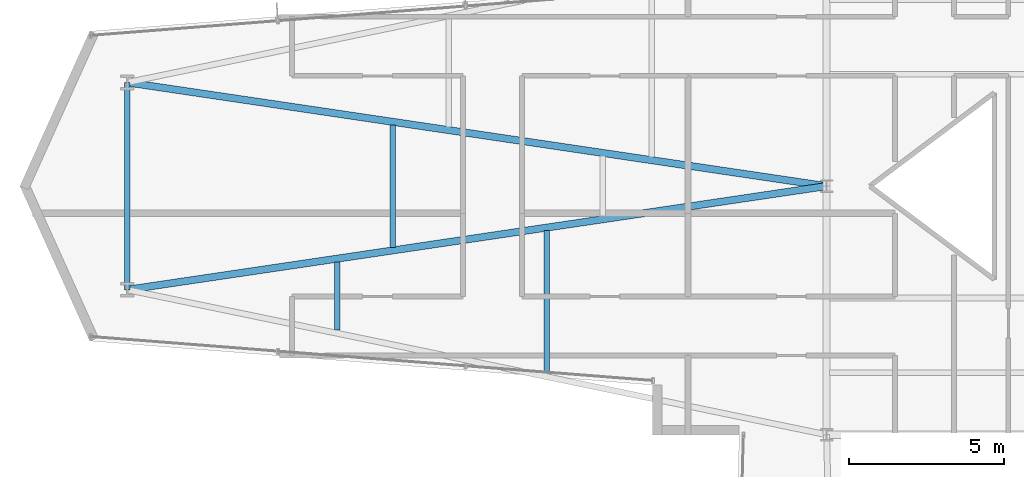
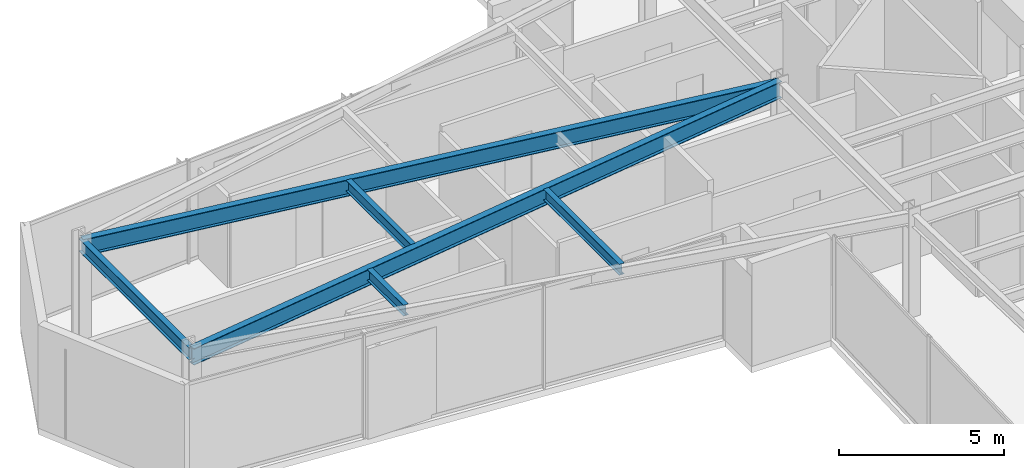
# One storey, part 8 of 30: 6 beams.
"""IFC4 building model written with IfcOpenShell, lengths in metres."""

from ifc_helpers import new_model, si_unit, direction, frame, origin, origin_2d, place, context, subcontext, project, spatial, i_section, extrude, material, material_profile, profile_set, type_object, element, save


model = new_model("IFC4")

# Units and contexts
model_context = context("Model", 3, precision=1e-05, world=origin(), true_north=direction((0.0, 1.0)))
body_context = subcontext(model_context, "Body", "Model", "MODEL_VIEW")
ifc_project = project(units=[si_unit("LENGTHUNIT", "METRE"), si_unit("AREAUNIT", "SQUARE_METRE"), si_unit("VOLUMEUNIT", "CUBIC_METRE"), si_unit("PLANEANGLEUNIT", "RADIAN"), si_unit("MASSUNIT", "GRAM", prefix="KILO")], contexts=[model_context])

# Site, building, storey
site_placement = place(None, origin())
site = spatial("IfcSite", under=ifc_project, at=site_placement, CompositionType="ELEMENT")
building_placement = place(site_placement, origin())
building = spatial("IfcBuilding", under=site, at=building_placement, Name="Veymaron Broadcast Tower", CompositionType="ELEMENT")
storey_placement = place(building_placement, frame((0.0, 0.0, 66.14990234375)))
storey = spatial("IfcBuildingStorey", under=building, at=storey_placement, Name="L14", CompositionType="ELEMENT", Elevation=66.14990234375)

# Beams
ifc_material = material(Name="Structural steel ASTM A992 Gr 50", Category="steel")
ifc_material_profile_1 = material_profile(ifc_material, i_section(OverallWidth=0.22998046875, OverallDepth=0.616943359375, WebThickness=0.01318359375, FlangeThickness=0.022216796875, at=origin_2d()), Name="W610X140")
ifc_profile_set_1 = profile_set([ifc_material_profile_1], Name="Structural steel ASTM A992 Gr 50")
beam_type_1 = type_object("IfcBeamType", Name="BM-FG1", PredefinedType="BEAM", material=ifc_profile_set_1)
for number, where, z_axis, x_axis, name in (
    (1, (8.697021484375, 20.6650390625, 3.501708984375), (0.989195854941, 0.146600001937, 0.0), (-0.146600001937, 0.989195854941, 0.0), "L14 primary structural floor girder"),
    (2, (8.697021484375, 27.3349609375, 3.501708984375), (0.989195854941, -0.146600001937, 0.0), (0.146600001937, 0.989195854941, 0.0), "L14 primary structural floor girder"),
):
    element("IfcBeam", number, at=place(storey_placement, frame(where, z_axis=z_axis, x_axis=x_axis)), inside=storey, type_object=beam_type_1, Name=name, PredefinedType="BEAM", context=body_context, shape_type="SweptSolid", body=[
        extrude(i_section(OverallWidth=0.22998046875, OverallDepth=0.616943359375, WebThickness=0.01318359375, FlangeThickness=0.022216796875, at=origin_2d()), origin(), (0.0, 0.0, 1.0), 22.748779296875),
    ])
ifc_material_profile_2 = material_profile(ifc_material, i_section(OverallWidth=0.177978515625, OverallDepth=0.406982421875, WebThickness=0.0078125, FlangeThickness=0.0126953125, at=origin_2d()), Name="W410X60")
ifc_profile_set_2 = profile_set([ifc_material_profile_2], Name="Structural steel ASTM A992 Gr 50")
beam_type_2 = type_object("IfcBeamType", Name="BM-JS1", PredefinedType="JOIST", material=ifc_profile_set_2)
beam_1_placement = place(storey_placement, frame((15.447998046875, 19.365478515625, 3.606689453125), z_axis=(0.0, 1.0, 0.0), x_axis=(-1.0, 0.0, 0.0)))
element("IfcBeam", 3, at=beam_1_placement, inside=storey, type_object=beam_type_2, Name="L14 Arm-A secondary joist 1S", PredefinedType="JOIST", context=body_context, shape_type="SweptSolid", body=[
    extrude(i_section(OverallWidth=0.177978515625, OverallDepth=0.406982421875, WebThickness=0.0078125, FlangeThickness=0.0126953125, at=origin_2d()), origin(), (0.0, 0.0, 1.0), 2.199951171875),
])
beam_2_placement = place(storey_placement, frame((17.248046875, 22.0322265625, 3.606689453125), z_axis=(0.0, 1.0, 0.0), x_axis=(-1.0, 0.0, 0.0)))
element("IfcBeam", 4, at=beam_2_placement, inside=storey, type_object=beam_type_2, Name="L14 Arm-A secondary joist 1M", PredefinedType="JOIST", context=body_context, shape_type="SweptSolid", body=[
    extrude(i_section(OverallWidth=0.177978515625, OverallDepth=0.406982421875, WebThickness=0.0078125, FlangeThickness=0.0126953125, at=origin_2d()), origin(), (0.0, 0.0, 1.0), 3.935546875),
])
beam_3_placement = place(storey_placement, frame((22.19873046875, 17.966064453125, 3.606689453125), z_axis=(0.0, 1.0, 0.0), x_axis=(-1.0, 0.0, 0.0)))
element("IfcBeam", 5, at=beam_3_placement, inside=storey, type_object=beam_type_2, Name="L14 Arm-A secondary joist 2S", PredefinedType="JOIST", context=body_context, shape_type="SweptSolid", body=[
    extrude(i_section(OverallWidth=0.177978515625, OverallDepth=0.406982421875, WebThickness=0.0078125, FlangeThickness=0.0126953125, at=origin_2d()), origin(), (0.0, 0.0, 1.0), 4.599853515625),
])
ifc_material_profile_3 = material_profile(ifc_material, i_section(OverallWidth=0.19091796875, OverallDepth=0.4599609375, WebThickness=0.010009765625, FlangeThickness=0.01611328125, at=origin_2d()), Name="W460X82")
ifc_profile_set_3 = profile_set([ifc_material_profile_3], Name="Structural steel ASTM A992 Gr 50")
beam_type_3 = type_object("IfcBeamType", Name="BM-SP1", PredefinedType="SPANDREL", material=ifc_profile_set_3)
beam_4_placement = place(storey_placement, frame((8.697021484375, 20.6650390625, 3.580078125), z_axis=(0.0, 1.0, 0.0), x_axis=(-1.0, 0.0, 0.0)))
element("IfcBeam", 6, at=beam_4_placement, inside=storey, type_object=beam_type_3, Name="L14 primary structural floor girder", PredefinedType="SPANDREL", context=body_context, shape_type="SweptSolid", body=[
    extrude(i_section(OverallWidth=0.19091796875, OverallDepth=0.4599609375, WebThickness=0.010009765625, FlangeThickness=0.01611328125, at=origin_2d()), origin(), (0.0, 0.0, 1.0), 6.669921875),
])

save(model, "model.ifc")
